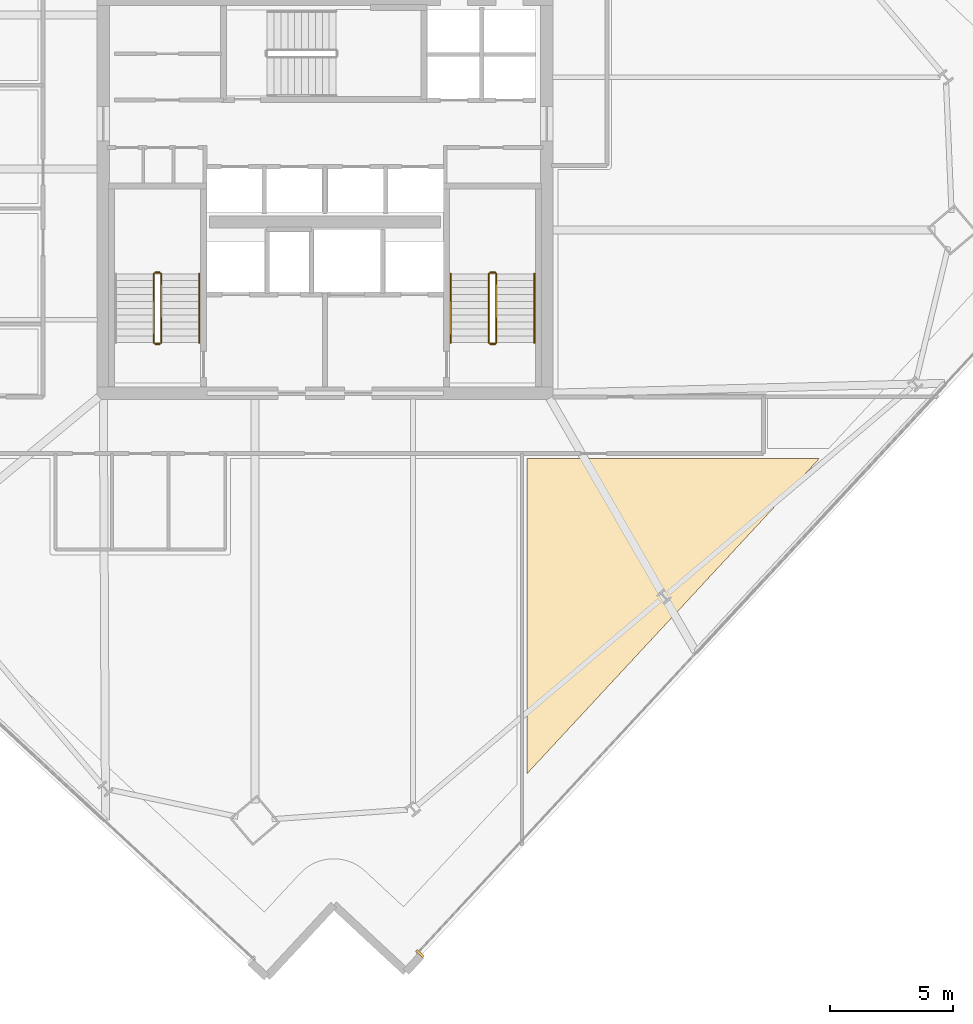
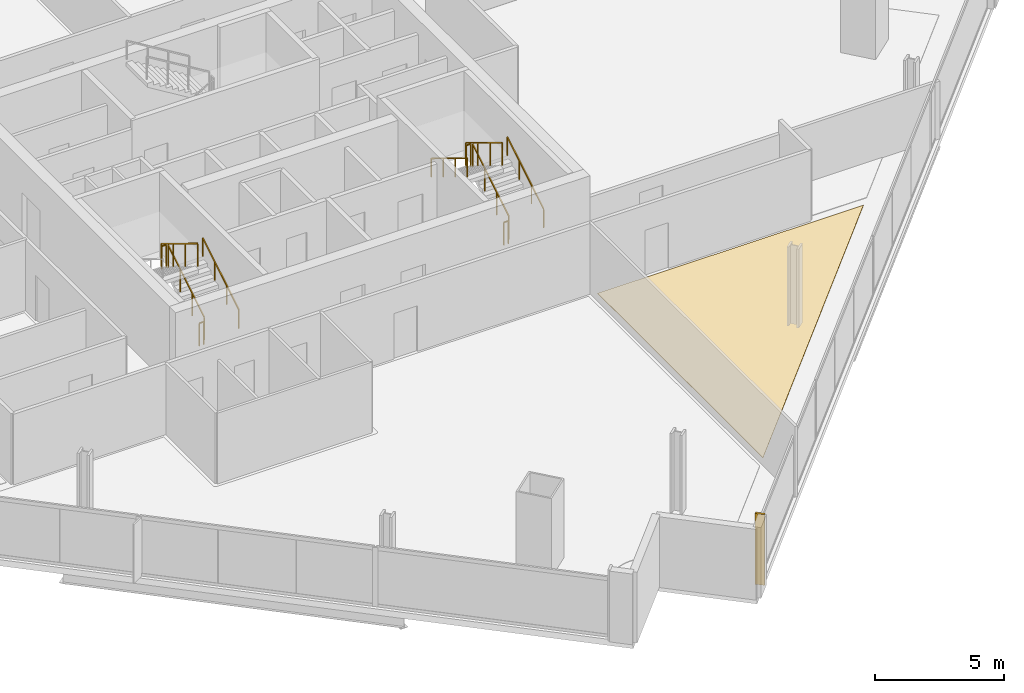
# One storey, part 29 of 32: 11 railings, 2 coverings.
"""IFC4 building model written with IfcOpenShell, lengths in metres."""

import ifcopenshell
import ifcopenshell.guid

model = None  # the IFC model being written
_history = None  # IfcOwnerHistory: only IFC2X3 demands one
_inside = {}  # id of a spatial element -> (the spatial element, [elements in it])
_under = {}  # id of a project, library or spatial element -> (it, [spatial elements below it])
_declared = {}  # id of a project -> (the project, [libraries it declares])
_typed = {}  # id of a type object -> (the type object, [elements of that type])
_made_of = {}  # id of a material, layer set ... -> (it, [elements and type objects made of it])


def new_model(schema):
    """Start an empty IFC model of exactly this schema.

    Asked for "IFC4X3", IfcOpenShell would pick the latest addendum, in which some entities
    have other attributes; the version numbers below select the first issue.
    IFC2X3 requires an IfcOwnerHistory on every rooted entity: one is made here for all.
    """
    global model, _history
    if schema == "IFC4X3":
        model = ifcopenshell.file(schema_version=(4, 3, 0, 0))
    else:
        model = ifcopenshell.file(schema=schema)
    _inside.clear()
    _under.clear()
    _declared.clear()
    _typed.clear()
    _made_of.clear()
    _history = None
    if model.schema == "IFC2X3":
        org = make("IfcOrganization", Name="unknown")
        user = make(
            "IfcPersonAndOrganization",
            ThePerson=make("IfcPerson", FamilyName="unknown"),
            TheOrganization=org,
        )
        app = make(
            "IfcApplication",
            ApplicationDeveloper=org,
            Version="unknown",
            ApplicationFullName="unknown",
            ApplicationIdentifier="unknown",
        )
        _history = make(
            "IfcOwnerHistory",
            OwningUser=user,
            OwningApplication=app,
            ChangeAction="ADDED",
            CreationDate=0,
        )
    return model


def make(cls, **values):
    """One entity of the class cls with the attributes given. An attribute that is None is left unset."""
    return model.create_entity(
        cls, **{name: value for name, value in values.items() if value is not None}
    )


def rooted(cls, **values):
    """An entity with a GlobalId (a new one), such as an element, a storey or a relation."""
    return make(cls, GlobalId=ifcopenshell.guid.new(), OwnerHistory=_history, **values)


def si_unit(unit_type, name, prefix=None):
    """IfcSIUnit, for example si_unit("LENGTHUNIT", "METRE", prefix="MILLI")."""
    return make("IfcSIUnit", UnitType=unit_type, Prefix=prefix, Name=name)


def assignment(units):
    """IfcUnitAssignment: the units of a project."""
    return None if units is None else make("IfcUnitAssignment", Units=units)


def point(xyz):
    """IfcCartesianPoint."""
    return None if xyz is None else make("IfcCartesianPoint", Coordinates=xyz)


def direction(xyz):
    """IfcDirection."""
    return None if xyz is None else make("IfcDirection", DirectionRatios=xyz)


def frame(location, z_axis=None, x_axis=None):
    """IfcAxis2Placement3D, a coordinate frame: its origin and axes. An axis left out is left unset."""
    return make(
        "IfcAxis2Placement3D",
        Location=point(location),
        Axis=direction(z_axis),
        RefDirection=direction(x_axis),
    )


def frame_2d(location, x_axis=None):
    """IfcAxis2Placement2D, a coordinate frame in the plane: its origin and x axis."""
    return make(
        "IfcAxis2Placement2D", Location=point(location), RefDirection=direction(x_axis)
    )


def origin():
    """The frame at (0, 0, 0) with its axes left unset."""
    return frame((0.0, 0.0, 0.0))


def origin_2d():
    """The frame at (0, 0) in the plane with its x axis left unset."""
    return frame_2d((0.0, 0.0))


def place(relative_to, where):
    """IfcLocalPlacement: puts the frame where relative to a parent placement (None: the world)."""
    return make(
        "IfcLocalPlacement", PlacementRelTo=relative_to, RelativePlacement=where
    )


def context(
    kind, dimensions, precision=None, world=None, true_north=None, identifier=None
):
    """IfcGeometricRepresentationContext, for example the 3D "Model" context."""
    return make(
        "IfcGeometricRepresentationContext",
        ContextIdentifier=identifier,
        ContextType=kind,
        CoordinateSpaceDimension=dimensions,
        Precision=precision,
        WorldCoordinateSystem=world,
        TrueNorth=true_north,
    )


def subcontext(parent, identifier, kind, view, scale=None):
    """IfcGeometricRepresentationSubContext, for example "Body" below "Model"."""
    return make(
        "IfcGeometricRepresentationSubContext",
        ContextIdentifier=identifier,
        ContextType=kind,
        ParentContext=parent,
        TargetScale=scale,
        TargetView=view,
    )


def project(units=None, contexts=None):
    """IfcProject with its units and contexts."""
    return rooted(
        "IfcProject",
        Name="project",
        RepresentationContexts=contexts,
        UnitsInContext=assignment(units),
    )


def spatial(cls, under=None, at=None, **own):
    """A site, building, storey or space (cls), placed at a placement, below another one or the project."""
    s = rooted(cls, ObjectPlacement=at, **own)
    if under is not None:
        _under.setdefault(under.id(), (under, []))[1].append(s)
    return s


def polyline(points):
    """IfcPolyline through the points."""
    return make("IfcPolyline", Points=[point(p) for p in points])


def profile(cls, at=None, kind="AREA", **sizes):
    """A parametric profile (cls). Its sizes go by their IFC names, for example OverallWidth=200.0."""
    return make(cls, ProfileType=kind, Position=at, **sizes)


def rectangle(**sizes):
    """IfcRectangleProfileDef."""
    return profile("IfcRectangleProfileDef", **sizes)


def outline(outer, holes=None, kind="AREA"):
    """IfcArbitraryClosedProfileDef: a profile drawn as a closed curve; with holes, ...WithVoids."""
    if holes is None:
        return make("IfcArbitraryClosedProfileDef", ProfileType=kind, OuterCurve=outer)
    return make(
        "IfcArbitraryProfileDefWithVoids",
        ProfileType=kind,
        OuterCurve=outer,
        InnerCurves=holes,
    )


def extrude(swept, where, along, depth):
    """IfcExtrudedAreaSolid: the profile swept, set in the frame where, extruded along a direction by depth."""
    return make(
        "IfcExtrudedAreaSolid",
        SweptArea=swept,
        Position=where,
        ExtrudedDirection=direction(along),
        Depth=depth,
    )


def shape(context_of_items, identifier, shape_type, items):
    """IfcShapeRepresentation: the items that make up one representation, for example the "Body"."""
    return make(
        "IfcShapeRepresentation",
        ContextOfItems=context_of_items,
        RepresentationIdentifier=identifier,
        RepresentationType=shape_type,
        Items=items,
    )


def source(mapping_origin, context_of_items, identifier, shape_type, items):
    """IfcRepresentationMap: a shape defined once, which mapped items show again and again."""
    return make(
        "IfcRepresentationMap",
        MappingOrigin=mapping_origin,
        MappedRepresentation=shape(context_of_items, identifier, shape_type, items),
    )


def transform(
    local_origin,
    x_axis=None,
    y_axis=None,
    z_axis=None,
    scale=None,
    scale2=None,
    scale3=None,
    uniform=True,
):
    """IfcCartesianTransformationOperator3D, or its non-uniform kind. x_axis, y_axis, z_axis: its Axis1, 2, 3."""
    if uniform:
        return make(
            "IfcCartesianTransformationOperator3D",
            Axis1=direction(x_axis),
            Axis2=direction(y_axis),
            LocalOrigin=point(local_origin),
            Scale=scale,
            Axis3=direction(z_axis),
        )
    return make(
        "IfcCartesianTransformationOperator3DnonUniform",
        Axis1=direction(x_axis),
        Axis2=direction(y_axis),
        LocalOrigin=point(local_origin),
        Scale=scale,
        Axis3=direction(z_axis),
        Scale2=scale2,
        Scale3=scale3,
    )


def mapped(mapping_source, mapping_target):
    """IfcMappedItem: shows the shape of a source again, moved by a transform."""
    return make(
        "IfcMappedItem", MappingSource=mapping_source, MappingTarget=mapping_target
    )


def material(Name=None, Category=None):
    """IfcMaterial."""
    return make("IfcMaterial", Name=Name, Category=Category)


def layer(
    of_material, thickness, ventilated=None, Name=None, Category=None, Priority=None
):
    """IfcMaterialLayer: one layer of a wall or slab, of a material (None: an air gap)."""
    return make(
        "IfcMaterialLayer",
        Material=of_material,
        LayerThickness=thickness,
        IsVentilated=ventilated,
        Name=Name,
        Category=Category,
        Priority=Priority,
    )


def layer_set(layers, Name=None):
    """IfcMaterialLayerSet."""
    return make("IfcMaterialLayerSet", MaterialLayers=layers, LayerSetName=Name)


def made_of(thing, what):
    """Note that an element or type object is made of a material, layer set ...; save() writes the relation."""
    if what is not None:
        _made_of.setdefault(what.id(), (what, []))[1].append(thing)
    return thing


def type_object(cls, material=None, **own):
    """A type object (cls), such as IfcWallType, which elements share."""
    return made_of(rooted(cls, **own), material)


def element(
    cls,
    number,
    at=None,
    inside=None,
    cuts=None,
    type_object=None,
    material=None,
    context=None,
    identifier="Body",
    shape_type=None,
    held_by="IfcProductDefinitionShape",
    body=None,
    shapes=None,
    **own,
):
    """One element of the class cls, such as IfcWall. Its Tag is "e" and its number.

    at: its placement. inside: the storey or other place that contains it. cuts: it is an
    opening in that element (IfcRelVoidsElement). A single representation is given by context,
    identifier, shape_type and body (its items); several are given by shapes. held_by: the class
    of the entity that holds the representations. save() writes the other relations.
    """
    e = rooted(cls, Tag="e%d" % number, ObjectPlacement=at, **own)
    if body is not None:
        shapes = [shape(context, identifier, shape_type, body)]
    if shapes is not None:
        e.Representation = make(held_by, Representations=shapes)
    if inside is not None:
        _inside.setdefault(inside.id(), (inside, []))[1].append(e)
    if cuts is not None:
        rooted(
            "IfcRelVoidsElement", RelatingBuildingElement=cuts, RelatedOpeningElement=e
        )
    if type_object is not None:
        _typed.setdefault(type_object.id(), (type_object, []))[1].append(e)
    return made_of(e, material)


def aggregate(whole, parts):
    """IfcRelAggregates: a whole, such as a stair, and the parts it consists of."""
    return rooted("IfcRelAggregates", RelatingObject=whole, RelatedObjects=parts)


def save(model, path):
    """Write the relations noted so far, then the file.

    IfcRelAggregates (storeys below a building ...), IfcRelContainedInSpatialStructure (elements
    in a storey), IfcRelDefinesByType, IfcRelAssociatesMaterial and IfcRelDeclares: one each for
    every whole, place, type object, material and project.
    """
    for whole, parts in _under.values():
        aggregate(whole, parts)
    for where, things in _inside.values():
        rooted(
            "IfcRelContainedInSpatialStructure",
            RelatedElements=things,
            RelatingStructure=where,
        )
    for kind, things in _typed.values():
        rooted("IfcRelDefinesByType", RelatedObjects=things, RelatingType=kind)
    for what, things in _made_of.values():
        rooted("IfcRelAssociatesMaterial", RelatedObjects=things, RelatingMaterial=what)
    for by, libraries in _declared.values():
        rooted("IfcRelDeclares", RelatingContext=by, RelatedDefinitions=libraries)
    model.write(path)


model = new_model("IFC4")

# Units and contexts
model_context = context("Model", 3, precision=1e-05, world=origin(), true_north=direction((0.0, 1.0)))
body_context = subcontext(model_context, "Body", "Model", "MODEL_VIEW")
ifc_project = project(units=[si_unit("LENGTHUNIT", "METRE"), si_unit("AREAUNIT", "SQUARE_METRE"), si_unit("VOLUMEUNIT", "CUBIC_METRE"), si_unit("PLANEANGLEUNIT", "RADIAN"), si_unit("MASSUNIT", "GRAM", prefix="KILO")], contexts=[model_context])

# Site, building, storey
site_placement = place(None, origin())
site = spatial("IfcSite", under=ifc_project, at=site_placement, CompositionType="ELEMENT")
building_placement = place(site_placement, origin())
building = spatial("IfcBuilding", under=site, at=building_placement, Name="Haldenkirk Collegiate Tower", CompositionType="ELEMENT")
storey_placement = place(building_placement, frame((0.0, 0.0, 185.699951171875)))
storey = spatial("IfcBuildingStorey", under=building, at=storey_placement, Name="L46", CompositionType="ELEMENT", Elevation=185.699951171875)

# Covering
ifc_material_1 = material(Name="Polished collegiate terrazzo", Category="concrete")
ifc_layer_1 = layer(ifc_material_1, 0.02490234375)
ifc_layer_set_1 = layer_set([ifc_layer_1], Name="Polished collegiate terrazzo")
covering_type_1 = type_object("IfcCoveringType", Name="COV-FLOOR-TERRAZZO", PredefinedType="FLOORING", material=ifc_layer_set_1)
covering_1_placement = place(storey_placement, origin())
element("IfcCovering", 1, at=covering_1_placement, inside=storey, type_object=covering_type_1, Name="L46 academic room finish 02", PredefinedType="FLOORING", context=body_context, shape_type="SweptSolid", body=[
    extrude(outline(polyline([(44.199951171875, 2.556884765625), (44.199951171875, 15.35009765625), (56.0673828125, 15.35009765625), (44.199951171875, 2.556884765625)])), origin(), (0.0, 0.0, 1.0), 0.025146484375),
])

# Railings
ifc_material_2 = material(Name="Painted architectural tubular steel", Category="steel")
railing_type_1 = type_object("IfcRailingType", Name="RLG-STAIR-GUARD-1100", PredefinedType="BALUSTRADE", material=ifc_material_2)
railing_1_placement = place(storey_placement, frame((29.35009765625, 20.050048828125, 0.17041015625)))
element("IfcRailing", 2, at=railing_1_placement, inside=storey, type_object=railing_type_1, Name="L46 ST-1 stair guard 1", PredefinedType="BALUSTRADE", context=body_context, shape_type="SweptSolid", body=[
    extrude(rectangle(XDim=0.048095703125, YDim=0.048095703125, at=origin_2d()), frame((0.0, 0.0, 1.076171875), z_axis=(0.0, 0.854169791009, 0.51999420009), x_axis=(-1.0, 0.0, 0.0)), (0.0, 0.0, 1.0), 3.278076171875),
    extrude(rectangle(XDim=0.0419921875, YDim=0.0419921875, at=origin_2d()), origin(), (0.0, 0.0, 1.0), 1.052001953125),
    extrude(rectangle(XDim=0.0419921875, YDim=0.0419921875, at=origin_2d()), frame((0.0, 0.933349609375, 0.568115234375)), (0.0, 0.0, 1.0), 1.052001953125),
    extrude(rectangle(XDim=0.0419921875, YDim=0.0419921875, at=origin_2d()), frame((0.0, 1.86669921875, 1.136474609375)), (0.0, 0.0, 1.0), 1.052001953125),
    extrude(rectangle(XDim=0.0419921875, YDim=0.0419921875, at=origin_2d()), frame((0.0, 2.800048828125, 1.70458984375)), (0.0, 0.0, 1.0), 1.052001953125),
])
railing_2_placement = place(storey_placement, frame((29.300048828125, 22.89990234375, 1.875)))
element("IfcRailing", 3, at=railing_2_placement, inside=storey, type_object=railing_type_1, Name="L46 ST-1 stair guard 2", PredefinedType="BALUSTRADE", context=body_context, shape_type="SweptSolid", body=[
    extrude(rectangle(XDim=0.048095703125, YDim=0.048095703125, at=origin_2d()), frame((0.0, 0.0, 1.076171875), z_axis=(-1.0, 0.0, 0.0), x_axis=(0.0, -1.0, 0.0)), (0.0, 0.0, 1.0), 0.199951171875),
    extrude(rectangle(XDim=0.0419921875, YDim=0.0419921875, at=origin_2d()), origin(), (0.0, 0.0, 1.0), 1.052001953125),
    extrude(rectangle(XDim=0.0419921875, YDim=0.0419921875, at=origin_2d()), frame((-0.199951171875, 0.0, 0.0)), (0.0, 0.0, 1.0), 1.052001953125),
])
railing_3_placement = place(storey_placement, frame((29.050048828125, 22.85009765625, 2.04541015625)))
element("IfcRailing", 4, at=railing_3_placement, inside=storey, type_object=railing_type_1, Name="L46 ST-1 stair guard 3", PredefinedType="BALUSTRADE", context=body_context, shape_type="SweptSolid", body=[
    extrude(rectangle(XDim=0.048095703125, YDim=0.048095703125, at=origin_2d()), frame((0.0, 0.0, 1.076171875), z_axis=(0.0, -0.854169791009, 0.51999420009), x_axis=(1.0, 0.0, 0.0)), (0.0, 0.0, 1.0), 3.278076171875),
    extrude(rectangle(XDim=0.0419921875, YDim=0.0419921875, at=origin_2d()), origin(), (0.0, 0.0, 1.0), 1.052001953125),
    extrude(rectangle(XDim=0.0419921875, YDim=0.0419921875, at=origin_2d()), frame((0.0, -0.933349609375, 0.568115234375)), (0.0, 0.0, 1.0), 1.052001953125),
    extrude(rectangle(XDim=0.0419921875, YDim=0.0419921875, at=origin_2d()), frame((0.0, -1.86669921875, 1.136474609375)), (0.0, 0.0, 1.0), 1.052001953125),
    extrude(rectangle(XDim=0.0419921875, YDim=0.0419921875, at=origin_2d()), frame((0.0, -2.800048828125, 1.70458984375)), (0.0, 0.0, 1.0), 1.052001953125),
])
railing_4_placement = place(storey_placement, frame((29.300048828125, 20.0, 0.0)))
element("IfcRailing", 5, at=railing_4_placement, inside=storey, type_object=railing_type_1, Name="L46 ST-1 stair guard 4", PredefinedType="BALUSTRADE", context=body_context, shape_type="SweptSolid", body=[
    extrude(rectangle(XDim=0.048095703125, YDim=0.048095703125, at=origin_2d()), frame((0.0, 0.0, 1.076171875), z_axis=(-1.0, 0.0, 0.0), x_axis=(0.0, -1.0, 0.0)), (0.0, 0.0, 1.0), 0.199951171875),
    extrude(rectangle(XDim=0.0419921875, YDim=0.0419921875, at=origin_2d()), origin(), (0.0, 0.0, 1.0), 1.052001953125),
    extrude(rectangle(XDim=0.0419921875, YDim=0.0419921875, at=origin_2d()), frame((-0.199951171875, 0.0, 0.0)), (0.0, 0.0, 1.0), 1.052001953125),
])
railing_5_placement = place(storey_placement, frame((42.949951171875, 20.050048828125, 0.17041015625)))
element("IfcRailing", 6, at=railing_5_placement, inside=storey, type_object=railing_type_1, Name="L46 ST-2 stair guard 1", PredefinedType="BALUSTRADE", context=body_context, shape_type="SweptSolid", body=[
    extrude(rectangle(XDim=0.048095703125, YDim=0.048095703125, at=origin_2d()), frame((0.0, 0.0, 1.076171875), z_axis=(0.0, 0.854169791009, 0.51999420009), x_axis=(-1.0, 0.0, 0.0)), (0.0, 0.0, 1.0), 3.278076171875),
    extrude(rectangle(XDim=0.0419921875, YDim=0.0419921875, at=origin_2d()), origin(), (0.0, 0.0, 1.0), 1.052001953125),
    extrude(rectangle(XDim=0.0419921875, YDim=0.0419921875, at=origin_2d()), frame((0.0, 0.933349609375, 0.568115234375)), (0.0, 0.0, 1.0), 1.052001953125),
    extrude(rectangle(XDim=0.0419921875, YDim=0.0419921875, at=origin_2d()), frame((0.0, 1.86669921875, 1.136474609375)), (0.0, 0.0, 1.0), 1.052001953125),
    extrude(rectangle(XDim=0.0419921875, YDim=0.0419921875, at=origin_2d()), frame((0.0, 2.800048828125, 1.70458984375)), (0.0, 0.0, 1.0), 1.052001953125),
])
railing_6_placement = place(storey_placement, frame((42.89990234375, 22.89990234375, 1.875)))
element("IfcRailing", 7, at=railing_6_placement, inside=storey, type_object=railing_type_1, Name="L46 ST-2 stair guard 2", PredefinedType="BALUSTRADE", context=body_context, shape_type="SweptSolid", body=[
    extrude(rectangle(XDim=0.048095703125, YDim=0.048095703125, at=origin_2d()), frame((0.0, 0.0, 1.076171875), z_axis=(-1.0, 0.0, 0.0), x_axis=(0.0, -1.0, 0.0)), (0.0, 0.0, 1.0), 0.199951171875),
    extrude(rectangle(XDim=0.0419921875, YDim=0.0419921875, at=origin_2d()), origin(), (0.0, 0.0, 1.0), 1.052001953125),
    extrude(rectangle(XDim=0.0419921875, YDim=0.0419921875, at=origin_2d()), frame((-0.199951171875, 0.0, 0.0)), (0.0, 0.0, 1.0), 1.052001953125),
])
railing_7_placement = place(storey_placement, frame((42.64990234375, 22.85009765625, 2.04541015625)))
element("IfcRailing", 8, at=railing_7_placement, inside=storey, type_object=railing_type_1, Name="L46 ST-2 stair guard 3", PredefinedType="BALUSTRADE", context=body_context, shape_type="SweptSolid", body=[
    extrude(rectangle(XDim=0.048095703125, YDim=0.048095703125, at=origin_2d()), frame((0.0, 0.0, 1.076171875), z_axis=(0.0, -0.854169791009, 0.51999420009), x_axis=(1.0, 0.0, 0.0)), (0.0, 0.0, 1.0), 3.278076171875),
    extrude(rectangle(XDim=0.0419921875, YDim=0.0419921875, at=origin_2d()), origin(), (0.0, 0.0, 1.0), 1.052001953125),
    extrude(rectangle(XDim=0.0419921875, YDim=0.0419921875, at=origin_2d()), frame((0.0, -0.933349609375, 0.568115234375)), (0.0, 0.0, 1.0), 1.052001953125),
    extrude(rectangle(XDim=0.0419921875, YDim=0.0419921875, at=origin_2d()), frame((0.0, -1.86669921875, 1.136474609375)), (0.0, 0.0, 1.0), 1.052001953125),
    extrude(rectangle(XDim=0.0419921875, YDim=0.0419921875, at=origin_2d()), frame((0.0, -2.800048828125, 1.70458984375)), (0.0, 0.0, 1.0), 1.052001953125),
])
railing_8_placement = place(storey_placement, frame((42.89990234375, 20.0, 0.0)))
element("IfcRailing", 9, at=railing_8_placement, inside=storey, type_object=railing_type_1, Name="L46 ST-2 stair guard 4", PredefinedType="BALUSTRADE", context=body_context, shape_type="SweptSolid", body=[
    extrude(rectangle(XDim=0.048095703125, YDim=0.048095703125, at=origin_2d()), frame((0.0, 0.0, 1.076171875), z_axis=(-1.0, 0.0, 0.0), x_axis=(0.0, -1.0, 0.0)), (0.0, 0.0, 1.0), 0.199951171875),
    extrude(rectangle(XDim=0.0419921875, YDim=0.0419921875, at=origin_2d()), origin(), (0.0, 0.0, 1.0), 1.052001953125),
    extrude(rectangle(XDim=0.0419921875, YDim=0.0419921875, at=origin_2d()), frame((-0.199951171875, 0.0, 0.0)), (0.0, 0.0, 1.0), 1.052001953125),
])
railing_type_2 = type_object("IfcRailingType", Name="RLG-STAIR-HANDRAIL-900", PredefinedType="HANDRAIL", material=ifc_material_2)
for number, where, name in (
    (10, (30.89990234375, 20.050048828125, 0.17041015625), "L46 ST-1 stair handrail 1"),
    (11, (44.5, 20.050048828125, 0.17041015625), "L46 ST-2 stair handrail 1"),
):
    element("IfcRailing", number, at=place(storey_placement, frame(where)), inside=storey, type_object=railing_type_2, Name=name, PredefinedType="HANDRAIL", context=body_context, shape_type="SweptSolid", body=[
        extrude(rectangle(XDim=0.048095703125, YDim=0.048095703125, at=origin_2d()), frame((0.0, 0.0, 0.8759765625), z_axis=(0.0, 0.854169791009, 0.51999420009), x_axis=(-1.0, 0.0, 0.0)), (0.0, 0.0, 1.0), 3.278076171875),
        extrude(rectangle(XDim=0.0419921875, YDim=0.0419921875, at=origin_2d()), origin(), (0.0, 0.0, 1.0), 0.851806640625),
        extrude(rectangle(XDim=0.0419921875, YDim=0.0419921875, at=origin_2d()), frame((0.0, 0.933349609375, 0.568115234375)), (0.0, 0.0, 1.0), 0.851806640625),
        extrude(rectangle(XDim=0.0419921875, YDim=0.0419921875, at=origin_2d()), frame((0.0, 1.86669921875, 1.136474609375)), (0.0, 0.0, 1.0), 0.851806640625),
        extrude(rectangle(XDim=0.0419921875, YDim=0.0419921875, at=origin_2d()), frame((0.0, 2.800048828125, 1.70458984375)), (0.0, 0.0, 1.0), 0.851806640625),
    ])
railing_9_placement = place(storey_placement, frame((41.10009765625, 22.85009765625, 2.04541015625)))
element("IfcRailing", 12, at=railing_9_placement, inside=storey, type_object=railing_type_2, Name="L46 ST-2 stair handrail 2", PredefinedType="HANDRAIL", context=body_context, shape_type="SweptSolid", body=[
    extrude(rectangle(XDim=0.048095703125, YDim=0.048095703125, at=origin_2d()), frame((0.0, 0.0, 0.8759765625), z_axis=(0.0, -0.854169791009, 0.51999420009), x_axis=(1.0, 0.0, 0.0)), (0.0, 0.0, 1.0), 3.278076171875),
    extrude(rectangle(XDim=0.0419921875, YDim=0.0419921875, at=origin_2d()), origin(), (0.0, 0.0, 1.0), 0.851806640625),
    extrude(rectangle(XDim=0.0419921875, YDim=0.0419921875, at=origin_2d()), frame((0.0, -0.933349609375, 0.568115234375)), (0.0, 0.0, 1.0), 0.851806640625),
    extrude(rectangle(XDim=0.0419921875, YDim=0.0419921875, at=origin_2d()), frame((0.0, -1.86669921875, 1.136474609375)), (0.0, 0.0, 1.0), 0.851806640625),
    extrude(rectangle(XDim=0.0419921875, YDim=0.0419921875, at=origin_2d()), frame((0.0, -2.800048828125, 1.70458984375)), (0.0, 0.0, 1.0), 0.851806640625),
])

# Covering
ifc_material_3 = material(Name="Anodised architectural bronze aluminium", Category="aluminium")
ifc_layer_2 = layer(ifc_material_3, 0.06005859375)
ifc_layer_set_2 = layer_set([ifc_layer_2], Name="Anodised architectural bronze aluminium")
covering_type_2 = type_object("IfcCoveringType", Name="COV-CLAD-BRONZE-60", PredefinedType="CLADDING", material=ifc_layer_set_2)
shared_shape = source(origin(), body_context, "Body", "SweptSolid", [
    extrude(rectangle(XDim=0.10009765625, YDim=0.3798828125, at=origin_2d()), origin(), (0.0, 0.0, 1.0), 3.340087890625),
])
covering_2_placement = place(storey_placement, frame((39.853759765625, -4.745849609375, 0.0), z_axis=(0.0, 0.0, 1.0), x_axis=(-0.680081345566, -0.733136660803, 0.0)))
element("IfcCovering", 13, at=covering_2_placement, inside=storey, type_object=covering_type_2, Name="L46 recessed curtain-wall bronze jamb closure SJR", PredefinedType="CLADDING", context=body_context, shape_type="MappedRepresentation", body=[
    mapped(shared_shape, transform((0.0, 0.0, 0.0), x_axis=(1.0, 0.0, 0.0), y_axis=(0.0, 1.0, 0.0), z_axis=(0.0, 0.0, 1.0), scale=1.0)),
])

save(model, "model.ifc")
